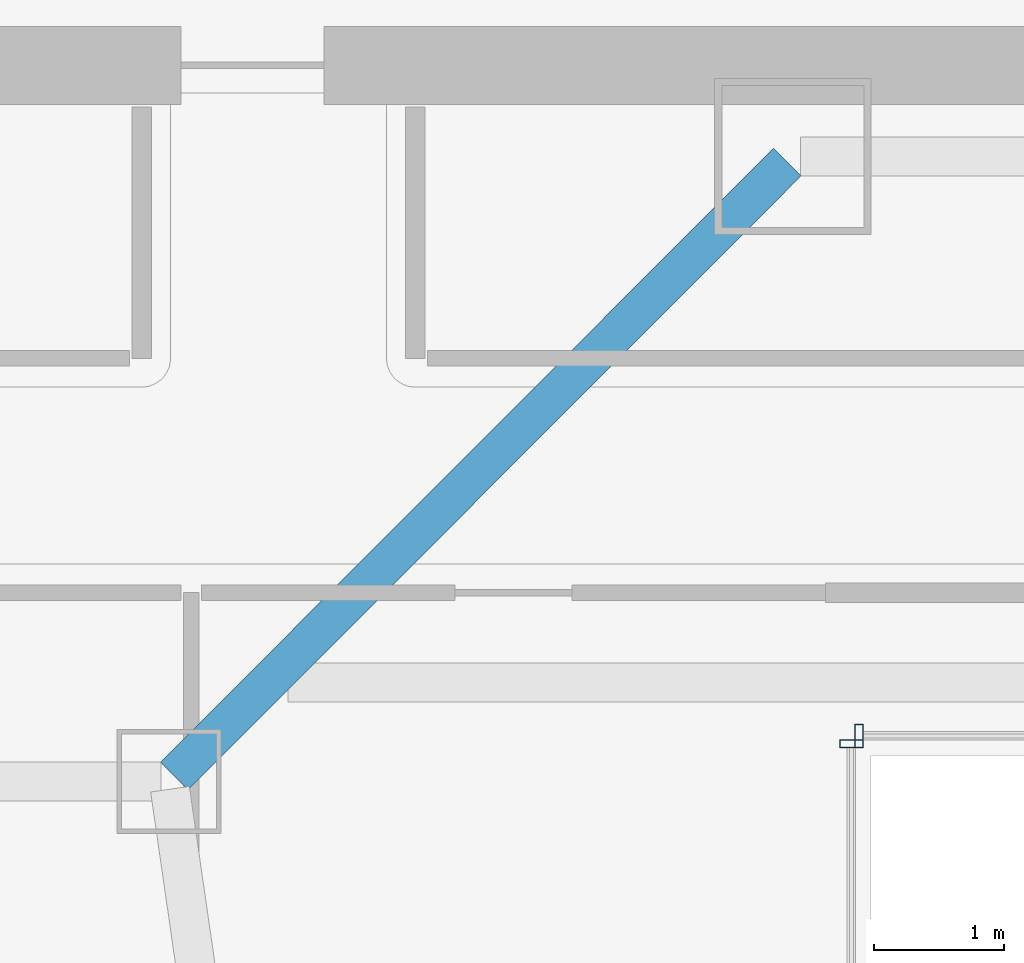
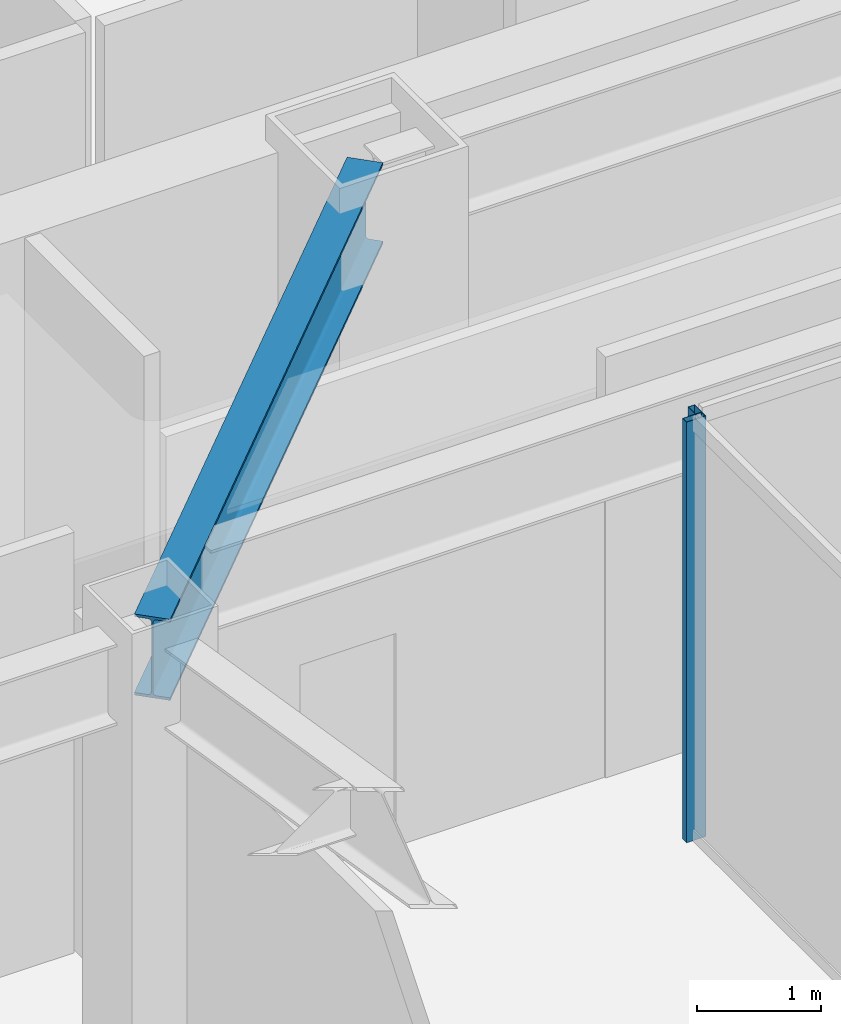
# One storey, part 24 of 49: 2 members, 1 beam, 2 elements without a shape of their own.
"""IFC4 building model written with IfcOpenShell, lengths in metres."""

import ifcopenshell
import ifcopenshell.guid

model = None  # the IFC model being written
_history = None  # IfcOwnerHistory: only IFC2X3 demands one
_inside = {}  # id of a spatial element -> (the spatial element, [elements in it])
_under = {}  # id of a project, library or spatial element -> (it, [spatial elements below it])
_declared = {}  # id of a project -> (the project, [libraries it declares])
_typed = {}  # id of a type object -> (the type object, [elements of that type])
_made_of = {}  # id of a material, layer set ... -> (it, [elements and type objects made of it])


def new_model(schema):
    """Start an empty IFC model of exactly this schema.

    Asked for "IFC4X3", IfcOpenShell would pick the latest addendum, in which some entities
    have other attributes; the version numbers below select the first issue.
    IFC2X3 requires an IfcOwnerHistory on every rooted entity: one is made here for all.
    """
    global model, _history
    if schema == "IFC4X3":
        model = ifcopenshell.file(schema_version=(4, 3, 0, 0))
    else:
        model = ifcopenshell.file(schema=schema)
    _inside.clear()
    _under.clear()
    _declared.clear()
    _typed.clear()
    _made_of.clear()
    _history = None
    if model.schema == "IFC2X3":
        org = make("IfcOrganization", Name="unknown")
        user = make(
            "IfcPersonAndOrganization",
            ThePerson=make("IfcPerson", FamilyName="unknown"),
            TheOrganization=org,
        )
        app = make(
            "IfcApplication",
            ApplicationDeveloper=org,
            Version="unknown",
            ApplicationFullName="unknown",
            ApplicationIdentifier="unknown",
        )
        _history = make(
            "IfcOwnerHistory",
            OwningUser=user,
            OwningApplication=app,
            ChangeAction="ADDED",
            CreationDate=0,
        )
    return model


def make(cls, **values):
    """One entity of the class cls with the attributes given. An attribute that is None is left unset."""
    return model.create_entity(
        cls, **{name: value for name, value in values.items() if value is not None}
    )


def rooted(cls, **values):
    """An entity with a GlobalId (a new one), such as an element, a storey or a relation."""
    return make(cls, GlobalId=ifcopenshell.guid.new(), OwnerHistory=_history, **values)


def si_unit(unit_type, name, prefix=None):
    """IfcSIUnit, for example si_unit("LENGTHUNIT", "METRE", prefix="MILLI")."""
    return make("IfcSIUnit", UnitType=unit_type, Prefix=prefix, Name=name)


def assignment(units):
    """IfcUnitAssignment: the units of a project."""
    return None if units is None else make("IfcUnitAssignment", Units=units)


def point(xyz):
    """IfcCartesianPoint."""
    return None if xyz is None else make("IfcCartesianPoint", Coordinates=xyz)


def direction(xyz):
    """IfcDirection."""
    return None if xyz is None else make("IfcDirection", DirectionRatios=xyz)


def frame(location, z_axis=None, x_axis=None):
    """IfcAxis2Placement3D, a coordinate frame: its origin and axes. An axis left out is left unset."""
    return make(
        "IfcAxis2Placement3D",
        Location=point(location),
        Axis=direction(z_axis),
        RefDirection=direction(x_axis),
    )


def frame_2d(location, x_axis=None):
    """IfcAxis2Placement2D, a coordinate frame in the plane: its origin and x axis."""
    return make(
        "IfcAxis2Placement2D", Location=point(location), RefDirection=direction(x_axis)
    )


def origin():
    """The frame at (0, 0, 0) with its axes left unset."""
    return frame((0.0, 0.0, 0.0))


def origin_2d():
    """The frame at (0, 0) in the plane with its x axis left unset."""
    return frame_2d((0.0, 0.0))


def place(relative_to, where):
    """IfcLocalPlacement: puts the frame where relative to a parent placement (None: the world)."""
    return make(
        "IfcLocalPlacement", PlacementRelTo=relative_to, RelativePlacement=where
    )


def context(
    kind, dimensions, precision=None, world=None, true_north=None, identifier=None
):
    """IfcGeometricRepresentationContext, for example the 3D "Model" context."""
    return make(
        "IfcGeometricRepresentationContext",
        ContextIdentifier=identifier,
        ContextType=kind,
        CoordinateSpaceDimension=dimensions,
        Precision=precision,
        WorldCoordinateSystem=world,
        TrueNorth=true_north,
    )


def subcontext(parent, identifier, kind, view, scale=None):
    """IfcGeometricRepresentationSubContext, for example "Body" below "Model"."""
    return make(
        "IfcGeometricRepresentationSubContext",
        ContextIdentifier=identifier,
        ContextType=kind,
        ParentContext=parent,
        TargetScale=scale,
        TargetView=view,
    )


def project(units=None, contexts=None):
    """IfcProject with its units and contexts."""
    return rooted(
        "IfcProject",
        Name="project",
        RepresentationContexts=contexts,
        UnitsInContext=assignment(units),
    )


def spatial(cls, under=None, at=None, **own):
    """A site, building, storey or space (cls), placed at a placement, below another one or the project."""
    s = rooted(cls, ObjectPlacement=at, **own)
    if under is not None:
        _under.setdefault(under.id(), (under, []))[1].append(s)
    return s


def profile(cls, at=None, kind="AREA", **sizes):
    """A parametric profile (cls). Its sizes go by their IFC names, for example OverallWidth=200.0."""
    return make(cls, ProfileType=kind, Position=at, **sizes)


def hollow_rectangle(**sizes):
    """IfcRectangleHollowProfileDef."""
    return profile("IfcRectangleHollowProfileDef", **sizes)


def i_section(**sizes):
    """IfcIShapeProfileDef."""
    return profile("IfcIShapeProfileDef", **sizes)


def extrude(swept, where, along, depth):
    """IfcExtrudedAreaSolid: the profile swept, set in the frame where, extruded along a direction by depth."""
    return make(
        "IfcExtrudedAreaSolid",
        SweptArea=swept,
        Position=where,
        ExtrudedDirection=direction(along),
        Depth=depth,
    )


def shape(context_of_items, identifier, shape_type, items):
    """IfcShapeRepresentation: the items that make up one representation, for example the "Body"."""
    return make(
        "IfcShapeRepresentation",
        ContextOfItems=context_of_items,
        RepresentationIdentifier=identifier,
        RepresentationType=shape_type,
        Items=items,
    )


def material(Name=None, Category=None):
    """IfcMaterial."""
    return make("IfcMaterial", Name=Name, Category=Category)


def material_profile(
    of_material, cross_section, Name=None, Category=None, Priority=None
):
    """IfcMaterialProfile: a cross section and its material."""
    return make(
        "IfcMaterialProfile",
        Name=Name,
        Material=of_material,
        Profile=cross_section,
        Priority=Priority,
        Category=Category,
    )


def profile_set(profiles, Name=None, composite=None):
    """IfcMaterialProfileSet."""
    return make(
        "IfcMaterialProfileSet",
        Name=Name,
        MaterialProfiles=profiles,
        CompositeProfile=composite,
    )


def made_of(thing, what):
    """Note that an element or type object is made of a material, layer set ...; save() writes the relation."""
    if what is not None:
        _made_of.setdefault(what.id(), (what, []))[1].append(thing)
    return thing


def type_object(cls, material=None, **own):
    """A type object (cls), such as IfcWallType, which elements share."""
    return made_of(rooted(cls, **own), material)


def element(
    cls,
    number,
    at=None,
    inside=None,
    cuts=None,
    type_object=None,
    material=None,
    context=None,
    identifier="Body",
    shape_type=None,
    held_by="IfcProductDefinitionShape",
    body=None,
    shapes=None,
    **own,
):
    """One element of the class cls, such as IfcWall. Its Tag is "e" and its number.

    at: its placement. inside: the storey or other place that contains it. cuts: it is an
    opening in that element (IfcRelVoidsElement). A single representation is given by context,
    identifier, shape_type and body (its items); several are given by shapes. held_by: the class
    of the entity that holds the representations. save() writes the other relations.
    """
    e = rooted(cls, Tag="e%d" % number, ObjectPlacement=at, **own)
    if body is not None:
        shapes = [shape(context, identifier, shape_type, body)]
    if shapes is not None:
        e.Representation = make(held_by, Representations=shapes)
    if inside is not None:
        _inside.setdefault(inside.id(), (inside, []))[1].append(e)
    if cuts is not None:
        rooted(
            "IfcRelVoidsElement", RelatingBuildingElement=cuts, RelatedOpeningElement=e
        )
    if type_object is not None:
        _typed.setdefault(type_object.id(), (type_object, []))[1].append(e)
    return made_of(e, material)


def aggregate(whole, parts):
    """IfcRelAggregates: a whole, such as a stair, and the parts it consists of."""
    return rooted("IfcRelAggregates", RelatingObject=whole, RelatedObjects=parts)


def save(model, path):
    """Write the relations noted so far, then the file.

    IfcRelAggregates (storeys below a building ...), IfcRelContainedInSpatialStructure (elements
    in a storey), IfcRelDefinesByType, IfcRelAssociatesMaterial and IfcRelDeclares: one each for
    every whole, place, type object, material and project.
    """
    for whole, parts in _under.values():
        aggregate(whole, parts)
    for where, things in _inside.values():
        rooted(
            "IfcRelContainedInSpatialStructure",
            RelatedElements=things,
            RelatingStructure=where,
        )
    for kind, things in _typed.values():
        rooted("IfcRelDefinesByType", RelatedObjects=things, RelatingType=kind)
    for what, things in _made_of.values():
        rooted("IfcRelAssociatesMaterial", RelatedObjects=things, RelatingMaterial=what)
    for by, libraries in _declared.values():
        rooted("IfcRelDeclares", RelatingContext=by, RelatedDefinitions=libraries)
    model.write(path)


model = new_model("IFC4")

# Units and contexts
model_context = context("Model", 3, precision=1e-05, world=origin(), true_north=direction((0.0, 1.0)))
body_context = subcontext(model_context, "Body", "Model", "MODEL_VIEW")
ifc_project = project(units=[si_unit("LENGTHUNIT", "METRE"), si_unit("AREAUNIT", "SQUARE_METRE"), si_unit("VOLUMEUNIT", "CUBIC_METRE"), si_unit("PLANEANGLEUNIT", "RADIAN"), si_unit("MASSUNIT", "GRAM", prefix="KILO")], contexts=[model_context])

# Site, building, storey
site_placement = place(None, origin())
site = spatial("IfcSite", under=ifc_project, at=site_placement, CompositionType="ELEMENT")
building_placement = place(site_placement, origin())
building = spatial("IfcBuilding", under=site, at=building_placement, Name="Saevonmaru Cultural Tower", CompositionType="ELEMENT")
storey_placement = place(building_placement, frame((0.0, 0.0, 73.60009765625)))
storey = spatial("IfcBuildingStorey", under=building, at=storey_placement, Name="L15", CompositionType="ELEMENT", Elevation=73.60009765625)

# Beam
ifc_material_1 = material(Name="Steel SM420", Category="steel")
ifc_material_profile_1 = material_profile(ifc_material_1, i_section(OverallWidth=0.300048828125, OverallDepth=0.800048828125, WebThickness=0.013916015625, FlangeThickness=0.02587890625, FilletRadius=0.028076171875, at=origin_2d()), Name="H-800x300x14x26")
ifc_profile_set_1 = profile_set([ifc_material_profile_1], Name="Steel SM420")
beam_type = type_object("IfcBeamType", Name="BM-G-H800", PredefinedType="BEAM", material=ifc_profile_set_1)
beam_placement = place(storey_placement, frame((18.850341796875, 37.642578125, 3.75), z_axis=(0.706538566564, 0.707674539572, 0.0), x_axis=(-0.707674539572, 0.706538566564, 0.0)))
element("IfcBeam", 1, at=beam_placement, inside=storey, type_object=beam_type, Name="L15 West Atrium Girder 6", PredefinedType="BEAM", context=body_context, shape_type="SweptSolid", body=[
    extrude(i_section(OverallWidth=0.300048828125, OverallDepth=0.800048828125, WebThickness=0.013916015625, FlangeThickness=0.02587890625, FilletRadius=0.028076171875, at=origin_2d()), origin(), (0.0, 0.0, 1.0), 6.662353515625),
])

# Curtain wall, member
ifc_material_2 = material(Name="Satin Bronze Anodised Aluminium", Category="aluminium")
curtain_wall_type = type_object("IfcCurtainWallType", Name="CW-ATR-GLZ", PredefinedType="NOTDEFINED", material=ifc_material_2)
curtain_wall_1_placement = place(storey_placement, origin())
curtain_wall_1 = element("IfcCurtainWall", 2, at=curtain_wall_1_placement, inside=storey, type_object=curtain_wall_type, Name="L15 Vertical Atrium Glazed Smoke Screen 3", PredefinedType="NOTDEFINED")
ifc_material_profile_2 = material_profile(ifc_material_2, hollow_rectangle(XDim=0.06494140625, YDim=0.179931640625, WallThickness=0.00390625, at=origin_2d()), Name="ALU-MULL-180x65x4")
ifc_profile_set_2 = profile_set([ifc_material_profile_2], Name="Satin Bronze Anodised Aluminium")
member_type = type_object("IfcMemberType", Name="ML-CW-INT-180x65", PredefinedType="MULLION", material=ifc_profile_set_2)
member_1_placement = place(storey_placement, frame((24.110107421875, 37.949951171875, 0.0), z_axis=(0.0, 0.0, 1.0), x_axis=(-1.0, 0.0, 0.0)))
member_1 = element("IfcMember", 3, at=member_1_placement, type_object=member_type, Name="CW-ATR-L15-3 mullion 2", PredefinedType="MULLION", context=body_context, shape_type="SweptSolid", body=[
    extrude(hollow_rectangle(XDim=0.06494140625, YDim=0.179931640625, WallThickness=0.00390625, at=origin_2d()), origin(), (0.0, 0.0, 1.0), 4.14990234375),
])
aggregate(curtain_wall_1, [member_1])

curtain_wall_2_placement = place(storey_placement, origin())
curtain_wall_2 = element("IfcCurtainWall", 4, at=curtain_wall_2_placement, inside=storey, type_object=curtain_wall_type, Name="L15 Vertical Atrium Glazed Smoke Screen 4", PredefinedType="NOTDEFINED")
member_2_placement = place(storey_placement, frame((24.050048828125, 37.889892578125, 0.0), z_axis=(0.0, 0.0, 1.0), x_axis=(0.0, -1.0, 0.0)))
member_2 = element("IfcMember", 5, at=member_2_placement, type_object=member_type, Name="CW-ATR-L15-4 mullion 1", PredefinedType="MULLION", context=body_context, shape_type="SweptSolid", body=[
    extrude(hollow_rectangle(XDim=0.06494140625, YDim=0.179931640625, WallThickness=0.00390625, at=origin_2d()), origin(), (0.0, 0.0, 1.0), 4.14990234375),
])
aggregate(curtain_wall_2, [member_2])

save(model, "model.ifc")
